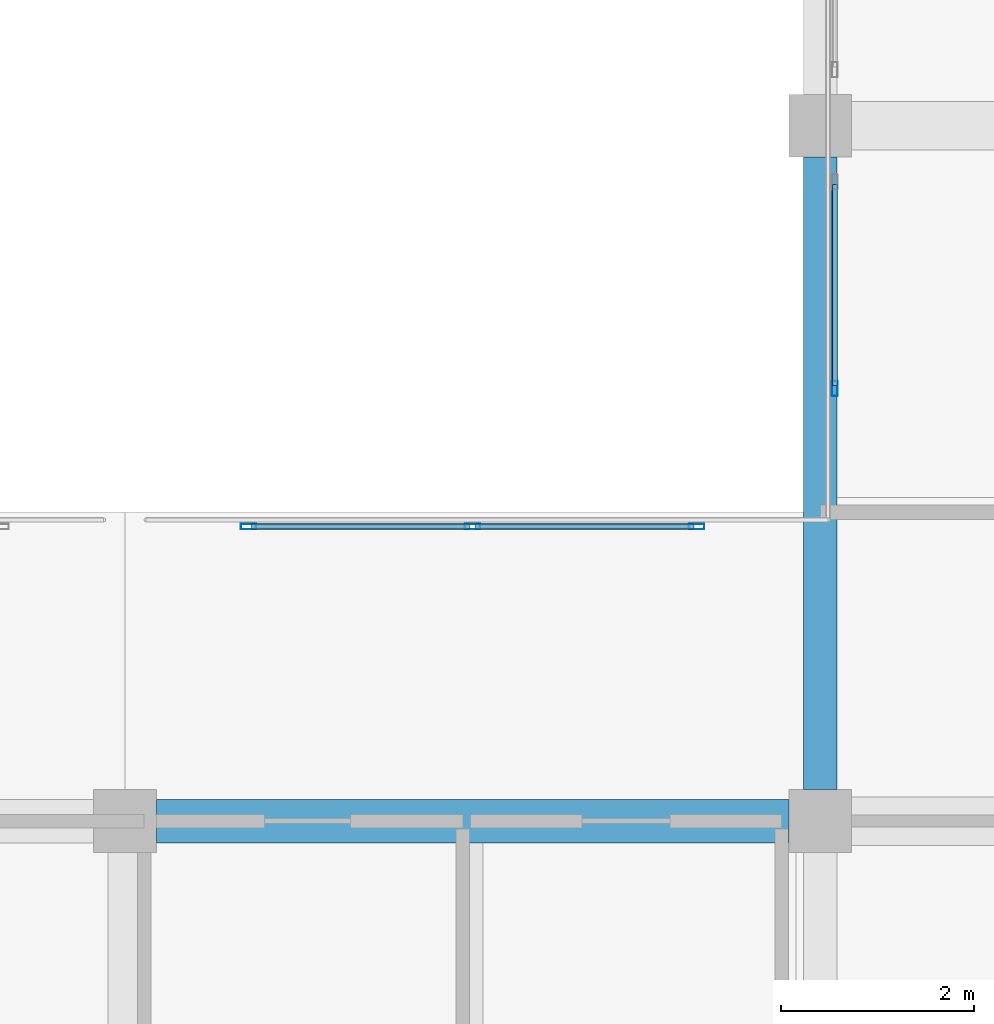
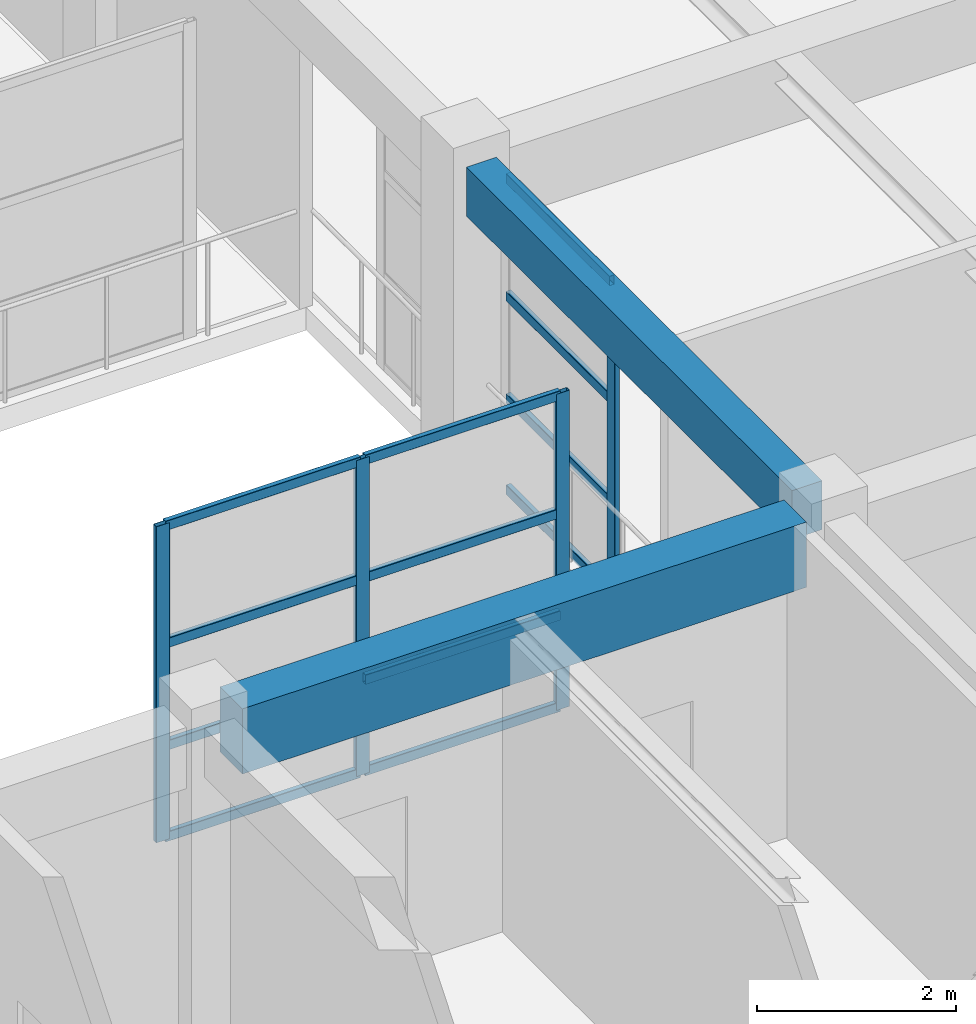
# One storey, part 28 of 67: 16 members, 2 beams, 2 elements without a shape of their own.
"""IFC4 building model written with IfcOpenShell, lengths in metres."""

from ifc_helpers import new_model, si_unit, direction, frame, origin, origin_2d, place, context, subcontext, project, spatial, rectangle, hollow_rectangle, extrude, material, material_profile, profile_set, type_object, element, aggregate, save


model = new_model("IFC4")

# Units and contexts
model_context = context("Model", 3, precision=1e-05, world=origin(), true_north=direction((0.0, 1.0)))
body_context = subcontext(model_context, "Body", "Model", "MODEL_VIEW")
ifc_project = project(units=[si_unit("LENGTHUNIT", "METRE"), si_unit("AREAUNIT", "SQUARE_METRE"), si_unit("VOLUMEUNIT", "CUBIC_METRE"), si_unit("PLANEANGLEUNIT", "RADIAN"), si_unit("MASSUNIT", "GRAM", prefix="KILO")], contexts=[model_context])

# Site, building, storey
site_placement = place(None, origin())
site = spatial("IfcSite", under=ifc_project, at=site_placement, CompositionType="ELEMENT")
building_placement = place(site_placement, origin())
building = spatial("IfcBuilding", under=site, at=building_placement, Name="Bramveld Media Centre", CompositionType="ELEMENT")
storey_placement = place(building_placement, frame((0.0, 0.0, 5.39990234375)))
storey = spatial("IfcBuildingStorey", under=building, at=storey_placement, Name="L01", CompositionType="ELEMENT", Elevation=5.39990234375)

# Beams
ifc_material_1 = material(Name="Concrete C40/50", Category="concrete")
ifc_material_profile_1 = material_profile(ifc_material_1, rectangle(XDim=0.35009765625, YDim=0.60009765625, at=origin_2d()), Name="RC 350x600")
ifc_profile_set_1 = profile_set([ifc_material_profile_1], Name="Concrete C40/50")
beam_type_1 = type_object("IfcBeamType", Name="BM-INT-RC-350x600", PredefinedType="BEAM", material=ifc_profile_set_1)
beam_1_placement = place(storey_placement, frame((94.39990234375, 97.925048828125, 3.6201171875), z_axis=(0.0, 1.0, 0.0), x_axis=(-1.0, 0.0, 0.0)))
element("IfcBeam", 1, at=beam_1_placement, inside=storey, type_object=beam_type_1, Name="V6 L01 girder Y-1035", PredefinedType="BEAM", context=body_context, shape_type="SweptSolid", body=[
    extrude(rectangle(XDim=0.35009765625, YDim=0.60009765625, at=origin_2d()), origin(), (0.0, 0.0, 1.0), 6.550048828125),
])
ifc_material_2 = material(Name="Concrete C40/50", Category="concrete")
ifc_material_profile_2 = material_profile(ifc_material_2, rectangle(XDim=0.449951171875, YDim=0.800048828125, at=origin_2d()), Name="RC 450x800")
ifc_profile_set_2 = profile_set([ifc_material_profile_2], Name="Concrete C40/50")
beam_type_2 = type_object("IfcBeamType", Name="BM-INT-RC-450x800", PredefinedType="BEAM", material=ifc_profile_set_2)
beam_2_placement = place(storey_placement, frame((87.52490234375, 97.60009765625, 3.52001953125), z_axis=(1.0, 0.0, 0.0), x_axis=(0.0, 1.0, 0.0)))
element("IfcBeam", 2, at=beam_2_placement, inside=storey, type_object=beam_type_2, Name="V6 L01 girder X-1003", PredefinedType="BEAM", context=body_context, shape_type="SweptSolid", body=[
    extrude(rectangle(XDim=0.449951171875, YDim=0.800048828125, at=origin_2d()), origin(), (0.0, 0.0, 1.0), 6.550048828125),
])

# Curtain wall, members
ifc_material_3 = material(Name="Thermally broken anodized bronze aluminium unitized curtain wall with solar-control triple glazing", Category="aluminium")
curtain_wall_type_1 = type_object("IfcCurtainWallType", Name="CW-ATR-4700x3880", PredefinedType="NOTDEFINED", material=ifc_material_3)
curtain_wall_1_placement = place(storey_placement, origin())
curtain_wall_1 = element("IfcCurtainWall", 3, at=curtain_wall_1_placement, inside=storey, type_object=curtain_wall_type_1, Name="V6 L01 atrium acoustic screen S2-1", PredefinedType="NOTDEFINED")
ifc_material_4 = material(Name="Thermally broken anodized bronze aluminium EN AW-6063 T6 curtain-wall framing", Category="aluminium")
ifc_material_profile_3 = material_profile(ifc_material_4, hollow_rectangle(XDim=0.06005859375, YDim=0.159912109375, WallThickness=0.00390625, InnerFilletRadius=0.00390625, OuterFilletRadius=0.008056640625, at=origin_2d()), Name="AL-MULL 60x160")
ifc_profile_set_3 = profile_set([ifc_material_profile_3], Name="Thermally broken anodized bronze aluminium EN AW-6063 T6 curtain-wall framing")
member_type_1 = type_object("IfcMemberType", Name="CW-MULL-INT", PredefinedType="MULLION", material=ifc_profile_set_3)
member_1_placement = place(storey_placement, frame((88.47998046875, 100.64990234375, 0.0), z_axis=(0.0, 0.0, 1.0), x_axis=(0.0, 1.0, 0.0)))
member_1 = element("IfcMember", 4, at=member_1_placement, type_object=member_type_1, Name="CW-AT-4738 mullion 1", PredefinedType="MULLION", context=body_context, shape_type="SweptSolid", body=[
    extrude(hollow_rectangle(XDim=0.06005859375, YDim=0.159912109375, WallThickness=0.00390625, InnerFilletRadius=0.00390625, OuterFilletRadius=0.008056640625, at=origin_2d()), origin(), (0.0, 0.0, 1.0), 3.880126953125),
])
member_2_placement = place(storey_placement, frame((90.800048828125, 100.64990234375, 0.0), z_axis=(0.0, 0.0, 1.0), x_axis=(0.0, 1.0, 0.0)))
member_2 = element("IfcMember", 5, at=member_2_placement, type_object=member_type_1, Name="CW-AT-4738 mullion 2", PredefinedType="MULLION", context=body_context, shape_type="SweptSolid", body=[
    extrude(hollow_rectangle(XDim=0.06005859375, YDim=0.159912109375, WallThickness=0.00390625, InnerFilletRadius=0.00390625, OuterFilletRadius=0.008056640625, at=origin_2d()), origin(), (0.0, 0.0, 1.0), 3.880126953125),
])
member_3_placement = place(storey_placement, frame((93.1201171875, 100.64990234375, 0.0), z_axis=(0.0, 0.0, 1.0), x_axis=(0.0, 1.0, 0.0)))
member_3 = element("IfcMember", 6, at=member_3_placement, type_object=member_type_1, Name="CW-AT-4738 mullion 3", PredefinedType="MULLION", context=body_context, shape_type="SweptSolid", body=[
    extrude(hollow_rectangle(XDim=0.06005859375, YDim=0.159912109375, WallThickness=0.00390625, InnerFilletRadius=0.00390625, OuterFilletRadius=0.008056640625, at=origin_2d()), origin(), (0.0, 0.0, 1.0), 3.880126953125),
])

# Curtain wall, member
ifc_material_5 = material(Name="Thermally broken anodized bronze aluminium unitized curtain wall with solar-control triple glazing", Category="aluminium")
curtain_wall_type_2 = type_object("IfcCurtainWallType", Name="CW-ATR-2200x3880", PredefinedType="NOTDEFINED", material=ifc_material_5)
curtain_wall_2_placement = place(storey_placement, origin())
curtain_wall_2 = element("IfcCurtainWall", 7, at=curtain_wall_2_placement, inside=storey, type_object=curtain_wall_type_2, Name="V6 L01 atrium acoustic screen E-1", PredefinedType="NOTDEFINED")
member_4_placement = place(storey_placement, frame((94.550048828125, 102.080078125, 0.0), z_axis=(0.0, 0.0, 1.0), x_axis=(-1.0, 0.0, 0.0)))
member_4 = element("IfcMember", 8, at=member_4_placement, type_object=member_type_1, Name="CW-AT-2238 mullion 1", PredefinedType="MULLION", context=body_context, shape_type="SweptSolid", body=[
    extrude(hollow_rectangle(XDim=0.06005859375, YDim=0.159912109375, WallThickness=0.00390625, InnerFilletRadius=0.00390625, OuterFilletRadius=0.008056640625, at=origin_2d()), origin(), (0.0, 0.0, 1.0), 3.880126953125),
])

# Member
ifc_material_6 = material(Name="Thermally broken anodized bronze aluminium EN AW-6063 T6 curtain-wall framing", Category="aluminium")
ifc_material_profile_4 = material_profile(ifc_material_6, hollow_rectangle(XDim=0.06005859375, YDim=0.1201171875, WallThickness=0.00341796875, InnerFilletRadius=0.00341796875, OuterFilletRadius=0.007080078125, at=origin_2d()), Name="AL-TRAN 60x120")
ifc_profile_set_4 = profile_set([ifc_material_profile_4], Name="Thermally broken anodized bronze aluminium EN AW-6063 T6 curtain-wall framing")
member_type_2 = type_object("IfcMemberType", Name="CW-TRAN-INT", PredefinedType="USERDEFINED", material=ifc_profile_set_4)
member_5_placement = place(storey_placement, frame((88.510009765625, 100.64990234375, 0.030029296875), z_axis=(1.0, 0.0, 0.0), x_axis=(0.0, 1.0, 0.0)))
member_5 = element("IfcMember", 9, at=member_5_placement, type_object=member_type_2, Name="CW-AT-4738 transom 1.1", ObjectType="TRANSOM", PredefinedType="USERDEFINED", context=body_context, shape_type="SweptSolid", body=[
    extrude(hollow_rectangle(XDim=0.06005859375, YDim=0.1201171875, WallThickness=0.00341796875, InnerFilletRadius=0.00341796875, OuterFilletRadius=0.007080078125, at=origin_2d()), origin(), (0.0, 0.0, 1.0), 2.260009765625),
])

member_6_placement = place(storey_placement, frame((88.510009765625, 100.64990234375, 1.150146484375), z_axis=(1.0, 0.0, 0.0), x_axis=(0.0, 1.0, 0.0)))
member_6 = element("IfcMember", 10, at=member_6_placement, type_object=member_type_2, Name="CW-AT-4738 transom 1.2", ObjectType="TRANSOM", PredefinedType="USERDEFINED", context=body_context, shape_type="SweptSolid", body=[
    extrude(hollow_rectangle(XDim=0.06005859375, YDim=0.1201171875, WallThickness=0.00341796875, InnerFilletRadius=0.00341796875, OuterFilletRadius=0.007080078125, at=origin_2d()), origin(), (0.0, 0.0, 1.0), 2.260009765625),
])

member_7_placement = place(storey_placement, frame((88.510009765625, 100.64990234375, 2.406005859375), z_axis=(1.0, 0.0, 0.0), x_axis=(0.0, 1.0, 0.0)))
member_7 = element("IfcMember", 11, at=member_7_placement, type_object=member_type_2, Name="CW-AT-4738 transom 1.3", ObjectType="TRANSOM", PredefinedType="USERDEFINED", context=body_context, shape_type="SweptSolid", body=[
    extrude(hollow_rectangle(XDim=0.06005859375, YDim=0.1201171875, WallThickness=0.00341796875, InnerFilletRadius=0.00341796875, OuterFilletRadius=0.007080078125, at=origin_2d()), origin(), (0.0, 0.0, 1.0), 2.260009765625),
])

member_8_placement = place(storey_placement, frame((88.510009765625, 100.64990234375, 3.85009765625), z_axis=(1.0, 0.0, 0.0), x_axis=(0.0, 1.0, 0.0)))
member_8 = element("IfcMember", 12, at=member_8_placement, type_object=member_type_2, Name="CW-AT-4738 transom 1.4", ObjectType="TRANSOM", PredefinedType="USERDEFINED", context=body_context, shape_type="SweptSolid", body=[
    extrude(hollow_rectangle(XDim=0.06005859375, YDim=0.1201171875, WallThickness=0.00341796875, InnerFilletRadius=0.00341796875, OuterFilletRadius=0.007080078125, at=origin_2d()), origin(), (0.0, 0.0, 1.0), 2.260009765625),
])

member_9_placement = place(storey_placement, frame((90.830078125, 100.64990234375, 0.030029296875), z_axis=(1.0, 0.0, 0.0), x_axis=(0.0, 1.0, 0.0)))
member_9 = element("IfcMember", 13, at=member_9_placement, type_object=member_type_2, Name="CW-AT-4738 transom 2.1", ObjectType="TRANSOM", PredefinedType="USERDEFINED", context=body_context, shape_type="SweptSolid", body=[
    extrude(hollow_rectangle(XDim=0.06005859375, YDim=0.1201171875, WallThickness=0.00341796875, InnerFilletRadius=0.00341796875, OuterFilletRadius=0.007080078125, at=origin_2d()), origin(), (0.0, 0.0, 1.0), 2.260009765625),
])

member_10_placement = place(storey_placement, frame((90.830078125, 100.64990234375, 1.150146484375), z_axis=(1.0, 0.0, 0.0), x_axis=(0.0, 1.0, 0.0)))
member_10 = element("IfcMember", 14, at=member_10_placement, type_object=member_type_2, Name="CW-AT-4738 transom 2.2", ObjectType="TRANSOM", PredefinedType="USERDEFINED", context=body_context, shape_type="SweptSolid", body=[
    extrude(hollow_rectangle(XDim=0.06005859375, YDim=0.1201171875, WallThickness=0.00341796875, InnerFilletRadius=0.00341796875, OuterFilletRadius=0.007080078125, at=origin_2d()), origin(), (0.0, 0.0, 1.0), 2.260009765625),
])

member_11_placement = place(storey_placement, frame((90.830078125, 100.64990234375, 2.406005859375), z_axis=(1.0, 0.0, 0.0), x_axis=(0.0, 1.0, 0.0)))
member_11 = element("IfcMember", 15, at=member_11_placement, type_object=member_type_2, Name="CW-AT-4738 transom 2.3", ObjectType="TRANSOM", PredefinedType="USERDEFINED", context=body_context, shape_type="SweptSolid", body=[
    extrude(hollow_rectangle(XDim=0.06005859375, YDim=0.1201171875, WallThickness=0.00341796875, InnerFilletRadius=0.00341796875, OuterFilletRadius=0.007080078125, at=origin_2d()), origin(), (0.0, 0.0, 1.0), 2.260009765625),
])

member_12_placement = place(storey_placement, frame((90.830078125, 100.64990234375, 3.85009765625), z_axis=(1.0, 0.0, 0.0), x_axis=(0.0, 1.0, 0.0)))
member_12 = element("IfcMember", 16, at=member_12_placement, type_object=member_type_2, Name="CW-AT-4738 transom 2.4", ObjectType="TRANSOM", PredefinedType="USERDEFINED", context=body_context, shape_type="SweptSolid", body=[
    extrude(hollow_rectangle(XDim=0.06005859375, YDim=0.1201171875, WallThickness=0.00341796875, InnerFilletRadius=0.00341796875, OuterFilletRadius=0.007080078125, at=origin_2d()), origin(), (0.0, 0.0, 1.0), 2.260009765625),
])

aggregate(curtain_wall_1, [member_1, member_2, member_3, member_5, member_6, member_7, member_8, member_9, member_10, member_11, member_12])

member_13_placement = place(storey_placement, frame((94.550048828125, 102.110107421875, 0.030029296875), z_axis=(0.0, 1.0, 0.0), x_axis=(-1.0, 0.0, 0.0)))
member_13 = element("IfcMember", 17, at=member_13_placement, type_object=member_type_2, Name="CW-AT-2238 transom 1.1", ObjectType="TRANSOM", PredefinedType="USERDEFINED", context=body_context, shape_type="SweptSolid", body=[
    extrude(hollow_rectangle(XDim=0.06005859375, YDim=0.1201171875, WallThickness=0.00341796875, InnerFilletRadius=0.00341796875, OuterFilletRadius=0.007080078125, at=origin_2d()), origin(), (0.0, 0.0, 1.0), 2.079833984375),
])

member_14_placement = place(storey_placement, frame((94.550048828125, 102.110107421875, 1.150146484375), z_axis=(0.0, 1.0, 0.0), x_axis=(-1.0, 0.0, 0.0)))
member_14 = element("IfcMember", 18, at=member_14_placement, type_object=member_type_2, Name="CW-AT-2238 transom 1.2", ObjectType="TRANSOM", PredefinedType="USERDEFINED", context=body_context, shape_type="SweptSolid", body=[
    extrude(hollow_rectangle(XDim=0.06005859375, YDim=0.1201171875, WallThickness=0.00341796875, InnerFilletRadius=0.00341796875, OuterFilletRadius=0.007080078125, at=origin_2d()), origin(), (0.0, 0.0, 1.0), 2.079833984375),
])

member_15_placement = place(storey_placement, frame((94.550048828125, 102.110107421875, 2.406005859375), z_axis=(0.0, 1.0, 0.0), x_axis=(-1.0, 0.0, 0.0)))
member_15 = element("IfcMember", 19, at=member_15_placement, type_object=member_type_2, Name="CW-AT-2238 transom 1.3", ObjectType="TRANSOM", PredefinedType="USERDEFINED", context=body_context, shape_type="SweptSolid", body=[
    extrude(hollow_rectangle(XDim=0.06005859375, YDim=0.1201171875, WallThickness=0.00341796875, InnerFilletRadius=0.00341796875, OuterFilletRadius=0.007080078125, at=origin_2d()), origin(), (0.0, 0.0, 1.0), 2.079833984375),
])

member_16_placement = place(storey_placement, frame((94.550048828125, 102.110107421875, 3.85009765625), z_axis=(0.0, 1.0, 0.0), x_axis=(-1.0, 0.0, 0.0)))
member_16 = element("IfcMember", 20, at=member_16_placement, type_object=member_type_2, Name="CW-AT-2238 transom 1.4", ObjectType="TRANSOM", PredefinedType="USERDEFINED", context=body_context, shape_type="SweptSolid", body=[
    extrude(hollow_rectangle(XDim=0.06005859375, YDim=0.1201171875, WallThickness=0.00341796875, InnerFilletRadius=0.00341796875, OuterFilletRadius=0.007080078125, at=origin_2d()), origin(), (0.0, 0.0, 1.0), 2.079833984375),
])

aggregate(curtain_wall_2, [member_4, member_13, member_14, member_15, member_16])

save(model, "model.ifc")
